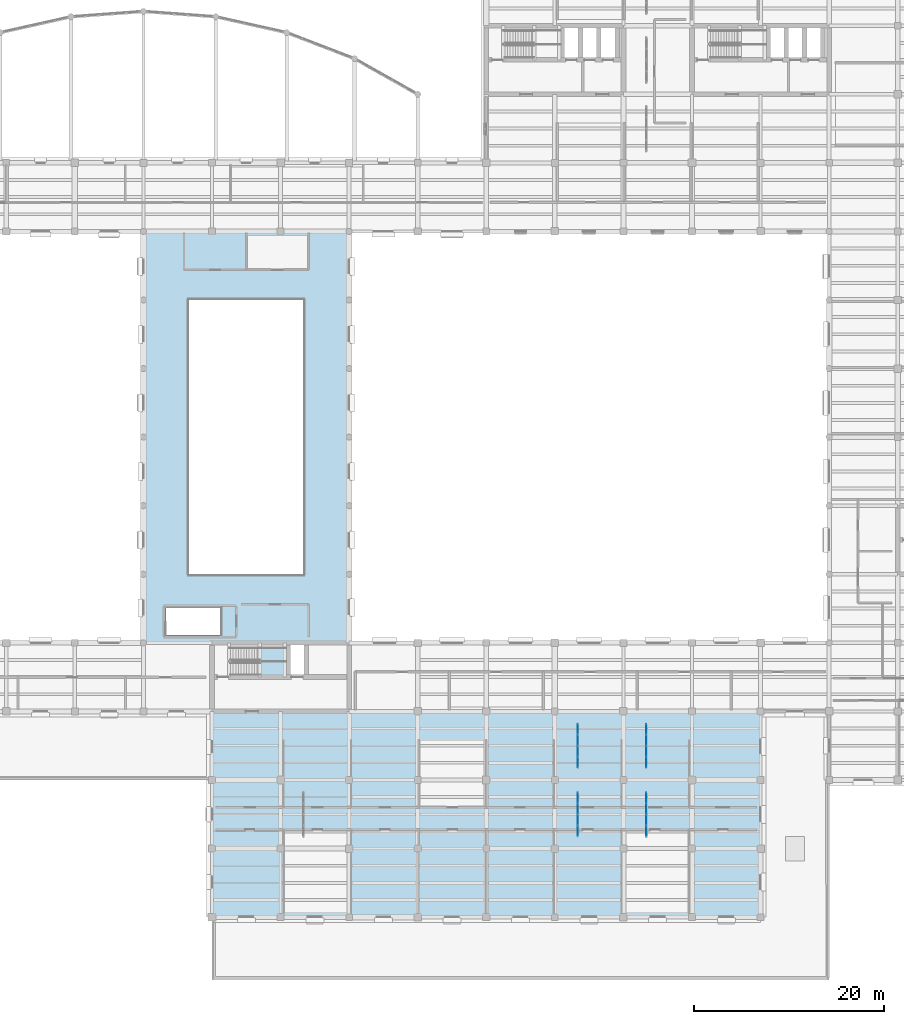
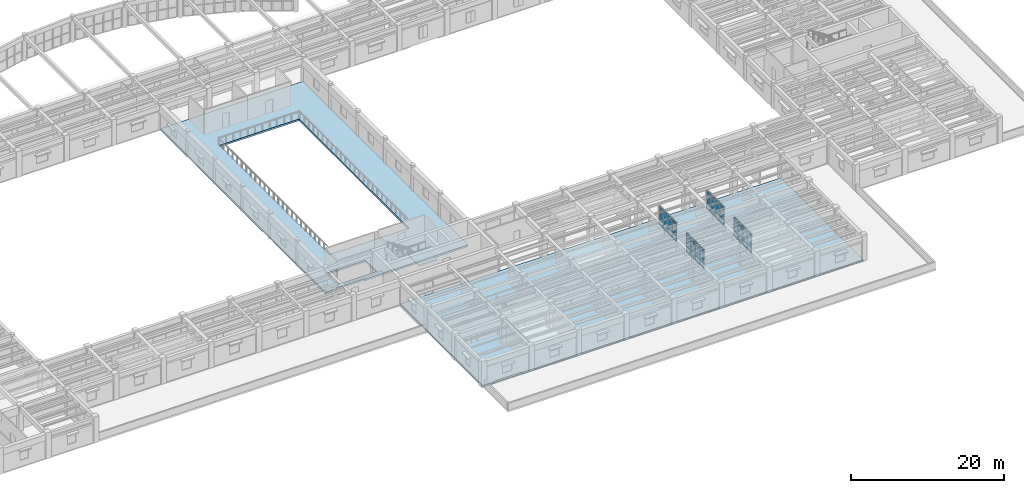
# One storey, part 37 of 76: 48 plates, 3 slabs, 5 elements without a shape of their own.
"""IFC4 building model written with IfcOpenShell, lengths in metres."""

from ifc_helpers import new_model, si_unit, direction, frame, origin, origin_2d, place, context, subcontext, project, spatial, polyline, rectangle, outline, extrude, material, layer, layer_set, type_object, element, aggregate, save


model = new_model("IFC4")

# Units and contexts
model_context = context("Model", 3, precision=1e-05, world=origin(), true_north=direction((0.0, 1.0)))
body_context = subcontext(model_context, "Body", "Model", "MODEL_VIEW")
ifc_project = project(units=[si_unit("LENGTHUNIT", "METRE"), si_unit("AREAUNIT", "SQUARE_METRE"), si_unit("VOLUMEUNIT", "CUBIC_METRE"), si_unit("PLANEANGLEUNIT", "RADIAN"), si_unit("MASSUNIT", "GRAM", prefix="KILO")], contexts=[model_context])

# Site, building, storey
site_placement = place(None, origin())
site = spatial("IfcSite", under=ifc_project, at=site_placement, CompositionType="ELEMENT")
building_placement = place(site_placement, origin())
building = spatial("IfcBuilding", under=site, at=building_placement, Name="Mithqara Police Headquarters", CompositionType="ELEMENT")
storey_placement = place(building_placement, frame((0.0, 0.0, 5.39990234375)))
storey = spatial("IfcBuildingStorey", under=building, at=storey_placement, Name="L01", CompositionType="ELEMENT", Elevation=5.39990234375)

# Curtain wall, plates
ifc_material_1 = material(Name="Bronze anodised aluminium 6063-T6", Category="aluminium")
curtain_wall_type = type_object("IfcCurtainWallType", Name="CURTAIN WALL 4700X3200", PredefinedType="USERDEFINED", material=ifc_material_1)
curtain_wall_1_placement = place(storey_placement, origin())
curtain_wall_1 = element("IfcCurtainWall", 1, at=curtain_wall_1_placement, inside=storey, type_object=curtain_wall_type, Name="L01 Unitised Glazing CW-15 (CW-INT-L01-X16-Y02-0)", ObjectType="UNITISED GLAZING", PredefinedType="USERDEFINED")
ifc_material_2 = material(Name="Spectrally selective double low-e glass", Category="glass")
ifc_layer_1 = layer(ifc_material_2, 0.028076171875, Name="Spectrally selective double low-e glass")
ifc_layer_set_1 = layer_set([ifc_layer_1], Name="Spectrally selective double low-e glass")
plate_type = type_object("IfcPlateType", Name="CWPANEL GLASS28", PredefinedType="CURTAIN_PANEL", material=ifc_layer_set_1)
plate_1_placement = place(storey_placement, frame((118.199951171875, 15.65625, 0.074951171875), z_axis=(0.0, 0.0, 1.0), x_axis=(0.0, 1.0, 0.0)))
plate_1 = element("IfcPlate", 2, at=plate_1_placement, type_object=plate_type, Name="CW-15 panel 1.1", PredefinedType="CURTAIN_PANEL", context=body_context, shape_type="SweptSolid", body=[
    extrude(rectangle(XDim=1.0625, YDim=0.028076171875, at=origin_2d()), origin(), (0.0, 0.0, 1.0), 0.78759765625),
])
plate_2_placement = place(storey_placement, frame((118.199951171875, 15.65625, 0.9375), z_axis=(0.0, 0.0, 1.0), x_axis=(0.0, 1.0, 0.0)))
plate_2 = element("IfcPlate", 3, at=plate_2_placement, type_object=plate_type, Name="CW-15 panel 1.2", PredefinedType="CURTAIN_PANEL", context=body_context, shape_type="SweptSolid", body=[
    extrude(rectangle(XDim=1.0625, YDim=0.028076171875, at=origin_2d()), origin(), (0.0, 0.0, 1.0), 1.675048828125),
])
plate_3_placement = place(storey_placement, frame((118.199951171875, 15.65625, 2.6875), z_axis=(0.0, 0.0, 1.0), x_axis=(0.0, 1.0, 0.0)))
plate_3 = element("IfcPlate", 4, at=plate_3_placement, type_object=plate_type, Name="CW-15 panel 1.3", PredefinedType="CURTAIN_PANEL", context=body_context, shape_type="SweptSolid", body=[
    extrude(rectangle(XDim=1.0625, YDim=0.028076171875, at=origin_2d()), origin(), (0.0, 0.0, 1.0), 0.4375),
])
plate_4_placement = place(storey_placement, frame((118.199951171875, 16.8125, 0.074951171875), z_axis=(0.0, 0.0, 1.0), x_axis=(0.0, 1.0, 0.0)))
plate_4 = element("IfcPlate", 5, at=plate_4_placement, type_object=plate_type, Name="CW-15 panel 2.1", PredefinedType="CURTAIN_PANEL", context=body_context, shape_type="SweptSolid", body=[
    extrude(rectangle(XDim=1.10009765625, YDim=0.028076171875, at=origin_2d()), origin(), (0.0, 0.0, 1.0), 0.78759765625),
])
plate_5_placement = place(storey_placement, frame((118.199951171875, 16.8125, 0.9375), z_axis=(0.0, 0.0, 1.0), x_axis=(0.0, 1.0, 0.0)))
plate_5 = element("IfcPlate", 6, at=plate_5_placement, type_object=plate_type, Name="CW-15 panel 2.2", PredefinedType="CURTAIN_PANEL", context=body_context, shape_type="SweptSolid", body=[
    extrude(rectangle(XDim=1.10009765625, YDim=0.028076171875, at=origin_2d()), origin(), (0.0, 0.0, 1.0), 1.675048828125),
])
plate_6_placement = place(storey_placement, frame((118.199951171875, 16.8125, 2.6875), z_axis=(0.0, 0.0, 1.0), x_axis=(0.0, 1.0, 0.0)))
plate_6 = element("IfcPlate", 7, at=plate_6_placement, type_object=plate_type, Name="CW-15 panel 2.3", PredefinedType="CURTAIN_PANEL", context=body_context, shape_type="SweptSolid", body=[
    extrude(rectangle(XDim=1.10009765625, YDim=0.028076171875, at=origin_2d()), origin(), (0.0, 0.0, 1.0), 0.4375),
])
plate_7_placement = place(storey_placement, frame((118.199951171875, 17.987548828125, 0.074951171875), z_axis=(0.0, 0.0, 1.0), x_axis=(0.0, 1.0, 0.0)))
plate_7 = element("IfcPlate", 8, at=plate_7_placement, type_object=plate_type, Name="CW-15 panel 3.1", PredefinedType="CURTAIN_PANEL", context=body_context, shape_type="SweptSolid", body=[
    extrude(rectangle(XDim=1.10009765625, YDim=0.028076171875, at=origin_2d()), origin(), (0.0, 0.0, 1.0), 0.78759765625),
])
plate_8_placement = place(storey_placement, frame((118.199951171875, 17.987548828125, 0.9375), z_axis=(0.0, 0.0, 1.0), x_axis=(0.0, 1.0, 0.0)))
plate_8 = element("IfcPlate", 9, at=plate_8_placement, type_object=plate_type, Name="CW-15 panel 3.2", PredefinedType="CURTAIN_PANEL", context=body_context, shape_type="SweptSolid", body=[
    extrude(rectangle(XDim=1.10009765625, YDim=0.028076171875, at=origin_2d()), origin(), (0.0, 0.0, 1.0), 1.675048828125),
])
plate_9_placement = place(storey_placement, frame((118.199951171875, 17.987548828125, 2.6875), z_axis=(0.0, 0.0, 1.0), x_axis=(0.0, 1.0, 0.0)))
plate_9 = element("IfcPlate", 10, at=plate_9_placement, type_object=plate_type, Name="CW-15 panel 3.3", PredefinedType="CURTAIN_PANEL", context=body_context, shape_type="SweptSolid", body=[
    extrude(rectangle(XDim=1.10009765625, YDim=0.028076171875, at=origin_2d()), origin(), (0.0, 0.0, 1.0), 0.4375),
])
plate_10_placement = place(storey_placement, frame((118.199951171875, 19.143798828125, 0.074951171875), z_axis=(0.0, 0.0, 1.0), x_axis=(0.0, 1.0, 0.0)))
plate_10 = element("IfcPlate", 11, at=plate_10_placement, type_object=plate_type, Name="CW-15 panel 4.1", PredefinedType="CURTAIN_PANEL", context=body_context, shape_type="SweptSolid", body=[
    extrude(rectangle(XDim=1.0625, YDim=0.028076171875, at=origin_2d()), origin(), (0.0, 0.0, 1.0), 0.78759765625),
])
plate_11_placement = place(storey_placement, frame((118.199951171875, 19.143798828125, 0.9375), z_axis=(0.0, 0.0, 1.0), x_axis=(0.0, 1.0, 0.0)))
plate_11 = element("IfcPlate", 12, at=plate_11_placement, type_object=plate_type, Name="CW-15 panel 4.2", PredefinedType="CURTAIN_PANEL", context=body_context, shape_type="SweptSolid", body=[
    extrude(rectangle(XDim=1.0625, YDim=0.028076171875, at=origin_2d()), origin(), (0.0, 0.0, 1.0), 1.675048828125),
])
plate_12_placement = place(storey_placement, frame((118.199951171875, 19.143798828125, 2.6875), z_axis=(0.0, 0.0, 1.0), x_axis=(0.0, 1.0, 0.0)))
plate_12 = element("IfcPlate", 13, at=plate_12_placement, type_object=plate_type, Name="CW-15 panel 4.3", PredefinedType="CURTAIN_PANEL", context=body_context, shape_type="SweptSolid", body=[
    extrude(rectangle(XDim=1.0625, YDim=0.028076171875, at=origin_2d()), origin(), (0.0, 0.0, 1.0), 0.4375),
])
aggregate(curtain_wall_1, [plate_1, plate_2, plate_3, plate_4, plate_5, plate_6, plate_7, plate_8, plate_9, plate_10, plate_11, plate_12])

curtain_wall_2_placement = place(storey_placement, origin())
curtain_wall_2 = element("IfcCurtainWall", 14, at=curtain_wall_2_placement, inside=storey, type_object=curtain_wall_type, Name="L01 Unitised Glazing CW-15 (CW-INT-L01-X16-Y03-0)", ObjectType="UNITISED GLAZING", PredefinedType="USERDEFINED")
plate_13_placement = place(storey_placement, frame((118.199951171875, 22.856201171875, 0.074951171875), z_axis=(0.0, 0.0, 1.0), x_axis=(0.0, 1.0, 0.0)))
plate_13 = element("IfcPlate", 15, at=plate_13_placement, type_object=plate_type, Name="CW-15 panel 1.1", PredefinedType="CURTAIN_PANEL", context=body_context, shape_type="SweptSolid", body=[
    extrude(rectangle(XDim=1.0625, YDim=0.028076171875, at=origin_2d()), origin(), (0.0, 0.0, 1.0), 0.78759765625),
])
plate_14_placement = place(storey_placement, frame((118.199951171875, 22.856201171875, 0.9375), z_axis=(0.0, 0.0, 1.0), x_axis=(0.0, 1.0, 0.0)))
plate_14 = element("IfcPlate", 16, at=plate_14_placement, type_object=plate_type, Name="CW-15 panel 1.2", PredefinedType="CURTAIN_PANEL", context=body_context, shape_type="SweptSolid", body=[
    extrude(rectangle(XDim=1.0625, YDim=0.028076171875, at=origin_2d()), origin(), (0.0, 0.0, 1.0), 1.675048828125),
])
plate_15_placement = place(storey_placement, frame((118.199951171875, 22.856201171875, 2.6875), z_axis=(0.0, 0.0, 1.0), x_axis=(0.0, 1.0, 0.0)))
plate_15 = element("IfcPlate", 17, at=plate_15_placement, type_object=plate_type, Name="CW-15 panel 1.3", PredefinedType="CURTAIN_PANEL", context=body_context, shape_type="SweptSolid", body=[
    extrude(rectangle(XDim=1.0625, YDim=0.028076171875, at=origin_2d()), origin(), (0.0, 0.0, 1.0), 0.4375),
])
plate_16_placement = place(storey_placement, frame((118.199951171875, 24.012451171875, 0.074951171875), z_axis=(0.0, 0.0, 1.0), x_axis=(0.0, 1.0, 0.0)))
plate_16 = element("IfcPlate", 18, at=plate_16_placement, type_object=plate_type, Name="CW-15 panel 2.1", PredefinedType="CURTAIN_PANEL", context=body_context, shape_type="SweptSolid", body=[
    extrude(rectangle(XDim=1.10009765625, YDim=0.028076171875, at=origin_2d()), origin(), (0.0, 0.0, 1.0), 0.78759765625),
])
plate_17_placement = place(storey_placement, frame((118.199951171875, 24.012451171875, 0.9375), z_axis=(0.0, 0.0, 1.0), x_axis=(0.0, 1.0, 0.0)))
plate_17 = element("IfcPlate", 19, at=plate_17_placement, type_object=plate_type, Name="CW-15 panel 2.2", PredefinedType="CURTAIN_PANEL", context=body_context, shape_type="SweptSolid", body=[
    extrude(rectangle(XDim=1.10009765625, YDim=0.028076171875, at=origin_2d()), origin(), (0.0, 0.0, 1.0), 1.675048828125),
])
plate_18_placement = place(storey_placement, frame((118.199951171875, 24.012451171875, 2.6875), z_axis=(0.0, 0.0, 1.0), x_axis=(0.0, 1.0, 0.0)))
plate_18 = element("IfcPlate", 20, at=plate_18_placement, type_object=plate_type, Name="CW-15 panel 2.3", PredefinedType="CURTAIN_PANEL", context=body_context, shape_type="SweptSolid", body=[
    extrude(rectangle(XDim=1.10009765625, YDim=0.028076171875, at=origin_2d()), origin(), (0.0, 0.0, 1.0), 0.4375),
])
plate_19_placement = place(storey_placement, frame((118.199951171875, 25.1875, 0.074951171875), z_axis=(0.0, 0.0, 1.0), x_axis=(0.0, 1.0, 0.0)))
plate_19 = element("IfcPlate", 21, at=plate_19_placement, type_object=plate_type, Name="CW-15 panel 3.1", PredefinedType="CURTAIN_PANEL", context=body_context, shape_type="SweptSolid", body=[
    extrude(rectangle(XDim=1.10009765625, YDim=0.028076171875, at=origin_2d()), origin(), (0.0, 0.0, 1.0), 0.78759765625),
])
plate_20_placement = place(storey_placement, frame((118.199951171875, 25.1875, 0.9375), z_axis=(0.0, 0.0, 1.0), x_axis=(0.0, 1.0, 0.0)))
plate_20 = element("IfcPlate", 22, at=plate_20_placement, type_object=plate_type, Name="CW-15 panel 3.2", PredefinedType="CURTAIN_PANEL", context=body_context, shape_type="SweptSolid", body=[
    extrude(rectangle(XDim=1.10009765625, YDim=0.028076171875, at=origin_2d()), origin(), (0.0, 0.0, 1.0), 1.675048828125),
])
plate_21_placement = place(storey_placement, frame((118.199951171875, 25.1875, 2.6875), z_axis=(0.0, 0.0, 1.0), x_axis=(0.0, 1.0, 0.0)))
plate_21 = element("IfcPlate", 23, at=plate_21_placement, type_object=plate_type, Name="CW-15 panel 3.3", PredefinedType="CURTAIN_PANEL", context=body_context, shape_type="SweptSolid", body=[
    extrude(rectangle(XDim=1.10009765625, YDim=0.028076171875, at=origin_2d()), origin(), (0.0, 0.0, 1.0), 0.4375),
])
plate_22_placement = place(storey_placement, frame((118.199951171875, 26.34375, 0.074951171875), z_axis=(0.0, 0.0, 1.0), x_axis=(0.0, 1.0, 0.0)))
plate_22 = element("IfcPlate", 24, at=plate_22_placement, type_object=plate_type, Name="CW-15 panel 4.1", PredefinedType="CURTAIN_PANEL", context=body_context, shape_type="SweptSolid", body=[
    extrude(rectangle(XDim=1.0625, YDim=0.028076171875, at=origin_2d()), origin(), (0.0, 0.0, 1.0), 0.78759765625),
])
plate_23_placement = place(storey_placement, frame((118.199951171875, 26.34375, 0.9375), z_axis=(0.0, 0.0, 1.0), x_axis=(0.0, 1.0, 0.0)))
plate_23 = element("IfcPlate", 25, at=plate_23_placement, type_object=plate_type, Name="CW-15 panel 4.2", PredefinedType="CURTAIN_PANEL", context=body_context, shape_type="SweptSolid", body=[
    extrude(rectangle(XDim=1.0625, YDim=0.028076171875, at=origin_2d()), origin(), (0.0, 0.0, 1.0), 1.675048828125),
])
plate_24_placement = place(storey_placement, frame((118.199951171875, 26.34375, 2.6875), z_axis=(0.0, 0.0, 1.0), x_axis=(0.0, 1.0, 0.0)))
plate_24 = element("IfcPlate", 26, at=plate_24_placement, type_object=plate_type, Name="CW-15 panel 4.3", PredefinedType="CURTAIN_PANEL", context=body_context, shape_type="SweptSolid", body=[
    extrude(rectangle(XDim=1.0625, YDim=0.028076171875, at=origin_2d()), origin(), (0.0, 0.0, 1.0), 0.4375),
])
aggregate(curtain_wall_2, [plate_13, plate_14, plate_15, plate_16, plate_17, plate_18, plate_19, plate_20, plate_21, plate_22, plate_23, plate_24])

curtain_wall_3_placement = place(storey_placement, origin())
curtain_wall_3 = element("IfcCurtainWall", 27, at=curtain_wall_3_placement, inside=storey, type_object=curtain_wall_type, Name="L01 Unitised Glazing CW-15 (CW-INT-L01-X17-Y02-0)", ObjectType="UNITISED GLAZING", PredefinedType="USERDEFINED")
plate_25_placement = place(storey_placement, frame((125.39990234375, 15.65625, 0.074951171875), z_axis=(0.0, 0.0, 1.0), x_axis=(0.0, 1.0, 0.0)))
plate_25 = element("IfcPlate", 28, at=plate_25_placement, type_object=plate_type, Name="CW-15 panel 1.1", PredefinedType="CURTAIN_PANEL", context=body_context, shape_type="SweptSolid", body=[
    extrude(rectangle(XDim=1.0625, YDim=0.028076171875, at=origin_2d()), origin(), (0.0, 0.0, 1.0), 0.78759765625),
])
plate_26_placement = place(storey_placement, frame((125.39990234375, 15.65625, 0.9375), z_axis=(0.0, 0.0, 1.0), x_axis=(0.0, 1.0, 0.0)))
plate_26 = element("IfcPlate", 29, at=plate_26_placement, type_object=plate_type, Name="CW-15 panel 1.2", PredefinedType="CURTAIN_PANEL", context=body_context, shape_type="SweptSolid", body=[
    extrude(rectangle(XDim=1.0625, YDim=0.028076171875, at=origin_2d()), origin(), (0.0, 0.0, 1.0), 1.675048828125),
])
plate_27_placement = place(storey_placement, frame((125.39990234375, 15.65625, 2.6875), z_axis=(0.0, 0.0, 1.0), x_axis=(0.0, 1.0, 0.0)))
plate_27 = element("IfcPlate", 30, at=plate_27_placement, type_object=plate_type, Name="CW-15 panel 1.3", PredefinedType="CURTAIN_PANEL", context=body_context, shape_type="SweptSolid", body=[
    extrude(rectangle(XDim=1.0625, YDim=0.028076171875, at=origin_2d()), origin(), (0.0, 0.0, 1.0), 0.4375),
])
plate_28_placement = place(storey_placement, frame((125.39990234375, 16.8125, 0.074951171875), z_axis=(0.0, 0.0, 1.0), x_axis=(0.0, 1.0, 0.0)))
plate_28 = element("IfcPlate", 31, at=plate_28_placement, type_object=plate_type, Name="CW-15 panel 2.1", PredefinedType="CURTAIN_PANEL", context=body_context, shape_type="SweptSolid", body=[
    extrude(rectangle(XDim=1.10009765625, YDim=0.028076171875, at=origin_2d()), origin(), (0.0, 0.0, 1.0), 0.78759765625),
])
plate_29_placement = place(storey_placement, frame((125.39990234375, 16.8125, 0.9375), z_axis=(0.0, 0.0, 1.0), x_axis=(0.0, 1.0, 0.0)))
plate_29 = element("IfcPlate", 32, at=plate_29_placement, type_object=plate_type, Name="CW-15 panel 2.2", PredefinedType="CURTAIN_PANEL", context=body_context, shape_type="SweptSolid", body=[
    extrude(rectangle(XDim=1.10009765625, YDim=0.028076171875, at=origin_2d()), origin(), (0.0, 0.0, 1.0), 1.675048828125),
])
plate_30_placement = place(storey_placement, frame((125.39990234375, 16.8125, 2.6875), z_axis=(0.0, 0.0, 1.0), x_axis=(0.0, 1.0, 0.0)))
plate_30 = element("IfcPlate", 33, at=plate_30_placement, type_object=plate_type, Name="CW-15 panel 2.3", PredefinedType="CURTAIN_PANEL", context=body_context, shape_type="SweptSolid", body=[
    extrude(rectangle(XDim=1.10009765625, YDim=0.028076171875, at=origin_2d()), origin(), (0.0, 0.0, 1.0), 0.4375),
])
plate_31_placement = place(storey_placement, frame((125.39990234375, 17.987548828125, 0.074951171875), z_axis=(0.0, 0.0, 1.0), x_axis=(0.0, 1.0, 0.0)))
plate_31 = element("IfcPlate", 34, at=plate_31_placement, type_object=plate_type, Name="CW-15 panel 3.1", PredefinedType="CURTAIN_PANEL", context=body_context, shape_type="SweptSolid", body=[
    extrude(rectangle(XDim=1.10009765625, YDim=0.028076171875, at=origin_2d()), origin(), (0.0, 0.0, 1.0), 0.78759765625),
])
plate_32_placement = place(storey_placement, frame((125.39990234375, 17.987548828125, 0.9375), z_axis=(0.0, 0.0, 1.0), x_axis=(0.0, 1.0, 0.0)))
plate_32 = element("IfcPlate", 35, at=plate_32_placement, type_object=plate_type, Name="CW-15 panel 3.2", PredefinedType="CURTAIN_PANEL", context=body_context, shape_type="SweptSolid", body=[
    extrude(rectangle(XDim=1.10009765625, YDim=0.028076171875, at=origin_2d()), origin(), (0.0, 0.0, 1.0), 1.675048828125),
])
plate_33_placement = place(storey_placement, frame((125.39990234375, 17.987548828125, 2.6875), z_axis=(0.0, 0.0, 1.0), x_axis=(0.0, 1.0, 0.0)))
plate_33 = element("IfcPlate", 36, at=plate_33_placement, type_object=plate_type, Name="CW-15 panel 3.3", PredefinedType="CURTAIN_PANEL", context=body_context, shape_type="SweptSolid", body=[
    extrude(rectangle(XDim=1.10009765625, YDim=0.028076171875, at=origin_2d()), origin(), (0.0, 0.0, 1.0), 0.4375),
])
plate_34_placement = place(storey_placement, frame((125.39990234375, 19.143798828125, 0.074951171875), z_axis=(0.0, 0.0, 1.0), x_axis=(0.0, 1.0, 0.0)))
plate_34 = element("IfcPlate", 37, at=plate_34_placement, type_object=plate_type, Name="CW-15 panel 4.1", PredefinedType="CURTAIN_PANEL", context=body_context, shape_type="SweptSolid", body=[
    extrude(rectangle(XDim=1.0625, YDim=0.028076171875, at=origin_2d()), origin(), (0.0, 0.0, 1.0), 0.78759765625),
])
plate_35_placement = place(storey_placement, frame((125.39990234375, 19.143798828125, 0.9375), z_axis=(0.0, 0.0, 1.0), x_axis=(0.0, 1.0, 0.0)))
plate_35 = element("IfcPlate", 38, at=plate_35_placement, type_object=plate_type, Name="CW-15 panel 4.2", PredefinedType="CURTAIN_PANEL", context=body_context, shape_type="SweptSolid", body=[
    extrude(rectangle(XDim=1.0625, YDim=0.028076171875, at=origin_2d()), origin(), (0.0, 0.0, 1.0), 1.675048828125),
])
plate_36_placement = place(storey_placement, frame((125.39990234375, 19.143798828125, 2.6875), z_axis=(0.0, 0.0, 1.0), x_axis=(0.0, 1.0, 0.0)))
plate_36 = element("IfcPlate", 39, at=plate_36_placement, type_object=plate_type, Name="CW-15 panel 4.3", PredefinedType="CURTAIN_PANEL", context=body_context, shape_type="SweptSolid", body=[
    extrude(rectangle(XDim=1.0625, YDim=0.028076171875, at=origin_2d()), origin(), (0.0, 0.0, 1.0), 0.4375),
])
aggregate(curtain_wall_3, [plate_25, plate_26, plate_27, plate_28, plate_29, plate_30, plate_31, plate_32, plate_33, plate_34, plate_35, plate_36])

curtain_wall_4_placement = place(storey_placement, origin())
curtain_wall_4 = element("IfcCurtainWall", 40, at=curtain_wall_4_placement, inside=storey, type_object=curtain_wall_type, Name="L01 Unitised Glazing CW-15 (CW-INT-L01-X17-Y03-0)", ObjectType="UNITISED GLAZING", PredefinedType="USERDEFINED")
plate_37_placement = place(storey_placement, frame((125.39990234375, 22.856201171875, 0.074951171875), z_axis=(0.0, 0.0, 1.0), x_axis=(0.0, 1.0, 0.0)))
plate_37 = element("IfcPlate", 41, at=plate_37_placement, type_object=plate_type, Name="CW-15 panel 1.1", PredefinedType="CURTAIN_PANEL", context=body_context, shape_type="SweptSolid", body=[
    extrude(rectangle(XDim=1.0625, YDim=0.028076171875, at=origin_2d()), origin(), (0.0, 0.0, 1.0), 0.78759765625),
])
plate_38_placement = place(storey_placement, frame((125.39990234375, 22.856201171875, 0.9375), z_axis=(0.0, 0.0, 1.0), x_axis=(0.0, 1.0, 0.0)))
plate_38 = element("IfcPlate", 42, at=plate_38_placement, type_object=plate_type, Name="CW-15 panel 1.2", PredefinedType="CURTAIN_PANEL", context=body_context, shape_type="SweptSolid", body=[
    extrude(rectangle(XDim=1.0625, YDim=0.028076171875, at=origin_2d()), origin(), (0.0, 0.0, 1.0), 1.675048828125),
])
plate_39_placement = place(storey_placement, frame((125.39990234375, 22.856201171875, 2.6875), z_axis=(0.0, 0.0, 1.0), x_axis=(0.0, 1.0, 0.0)))
plate_39 = element("IfcPlate", 43, at=plate_39_placement, type_object=plate_type, Name="CW-15 panel 1.3", PredefinedType="CURTAIN_PANEL", context=body_context, shape_type="SweptSolid", body=[
    extrude(rectangle(XDim=1.0625, YDim=0.028076171875, at=origin_2d()), origin(), (0.0, 0.0, 1.0), 0.4375),
])
plate_40_placement = place(storey_placement, frame((125.39990234375, 24.012451171875, 0.074951171875), z_axis=(0.0, 0.0, 1.0), x_axis=(0.0, 1.0, 0.0)))
plate_40 = element("IfcPlate", 44, at=plate_40_placement, type_object=plate_type, Name="CW-15 panel 2.1", PredefinedType="CURTAIN_PANEL", context=body_context, shape_type="SweptSolid", body=[
    extrude(rectangle(XDim=1.10009765625, YDim=0.028076171875, at=origin_2d()), origin(), (0.0, 0.0, 1.0), 0.78759765625),
])
plate_41_placement = place(storey_placement, frame((125.39990234375, 24.012451171875, 0.9375), z_axis=(0.0, 0.0, 1.0), x_axis=(0.0, 1.0, 0.0)))
plate_41 = element("IfcPlate", 45, at=plate_41_placement, type_object=plate_type, Name="CW-15 panel 2.2", PredefinedType="CURTAIN_PANEL", context=body_context, shape_type="SweptSolid", body=[
    extrude(rectangle(XDim=1.10009765625, YDim=0.028076171875, at=origin_2d()), origin(), (0.0, 0.0, 1.0), 1.675048828125),
])
plate_42_placement = place(storey_placement, frame((125.39990234375, 24.012451171875, 2.6875), z_axis=(0.0, 0.0, 1.0), x_axis=(0.0, 1.0, 0.0)))
plate_42 = element("IfcPlate", 46, at=plate_42_placement, type_object=plate_type, Name="CW-15 panel 2.3", PredefinedType="CURTAIN_PANEL", context=body_context, shape_type="SweptSolid", body=[
    extrude(rectangle(XDim=1.10009765625, YDim=0.028076171875, at=origin_2d()), origin(), (0.0, 0.0, 1.0), 0.4375),
])
plate_43_placement = place(storey_placement, frame((125.39990234375, 25.1875, 0.074951171875), z_axis=(0.0, 0.0, 1.0), x_axis=(0.0, 1.0, 0.0)))
plate_43 = element("IfcPlate", 47, at=plate_43_placement, type_object=plate_type, Name="CW-15 panel 3.1", PredefinedType="CURTAIN_PANEL", context=body_context, shape_type="SweptSolid", body=[
    extrude(rectangle(XDim=1.10009765625, YDim=0.028076171875, at=origin_2d()), origin(), (0.0, 0.0, 1.0), 0.78759765625),
])
plate_44_placement = place(storey_placement, frame((125.39990234375, 25.1875, 0.9375), z_axis=(0.0, 0.0, 1.0), x_axis=(0.0, 1.0, 0.0)))
plate_44 = element("IfcPlate", 48, at=plate_44_placement, type_object=plate_type, Name="CW-15 panel 3.2", PredefinedType="CURTAIN_PANEL", context=body_context, shape_type="SweptSolid", body=[
    extrude(rectangle(XDim=1.10009765625, YDim=0.028076171875, at=origin_2d()), origin(), (0.0, 0.0, 1.0), 1.675048828125),
])
plate_45_placement = place(storey_placement, frame((125.39990234375, 25.1875, 2.6875), z_axis=(0.0, 0.0, 1.0), x_axis=(0.0, 1.0, 0.0)))
plate_45 = element("IfcPlate", 49, at=plate_45_placement, type_object=plate_type, Name="CW-15 panel 3.3", PredefinedType="CURTAIN_PANEL", context=body_context, shape_type="SweptSolid", body=[
    extrude(rectangle(XDim=1.10009765625, YDim=0.028076171875, at=origin_2d()), origin(), (0.0, 0.0, 1.0), 0.4375),
])
plate_46_placement = place(storey_placement, frame((125.39990234375, 26.34375, 0.074951171875), z_axis=(0.0, 0.0, 1.0), x_axis=(0.0, 1.0, 0.0)))
plate_46 = element("IfcPlate", 50, at=plate_46_placement, type_object=plate_type, Name="CW-15 panel 4.1", PredefinedType="CURTAIN_PANEL", context=body_context, shape_type="SweptSolid", body=[
    extrude(rectangle(XDim=1.0625, YDim=0.028076171875, at=origin_2d()), origin(), (0.0, 0.0, 1.0), 0.78759765625),
])
plate_47_placement = place(storey_placement, frame((125.39990234375, 26.34375, 0.9375), z_axis=(0.0, 0.0, 1.0), x_axis=(0.0, 1.0, 0.0)))
plate_47 = element("IfcPlate", 51, at=plate_47_placement, type_object=plate_type, Name="CW-15 panel 4.2", PredefinedType="CURTAIN_PANEL", context=body_context, shape_type="SweptSolid", body=[
    extrude(rectangle(XDim=1.0625, YDim=0.028076171875, at=origin_2d()), origin(), (0.0, 0.0, 1.0), 1.675048828125),
])
plate_48_placement = place(storey_placement, frame((125.39990234375, 26.34375, 2.6875), z_axis=(0.0, 0.0, 1.0), x_axis=(0.0, 1.0, 0.0)))
plate_48 = element("IfcPlate", 52, at=plate_48_placement, type_object=plate_type, Name="CW-15 panel 4.3", PredefinedType="CURTAIN_PANEL", context=body_context, shape_type="SweptSolid", body=[
    extrude(rectangle(XDim=1.0625, YDim=0.028076171875, at=origin_2d()), origin(), (0.0, 0.0, 1.0), 0.4375),
])
aggregate(curtain_wall_4, [plate_37, plate_38, plate_39, plate_40, plate_41, plate_42, plate_43, plate_44, plate_45, plate_46, plate_47, plate_48])

# Slabs
ifc_material_3 = material(Name="Concrete C40/50", Category="concrete")
ifc_layer_2 = layer(ifc_material_3, 0.280029296875, Name="Concrete C40/50")
ifc_layer_set_2 = layer_set([ifc_layer_2], Name="Concrete C40/50")
slab_type_1 = type_object("IfcSlabType", Name="FLOOR SLAB 280", PredefinedType="FLOOR", material=ifc_layer_set_2)
slab_1_placement = place(storey_placement, frame((0.0, 0.0, -0.27978515625)))
element("IfcSlab", 53, at=slab_1_placement, inside=storey, type_object=slab_type_1, Name="L01 Structural Slab L01-V2", PredefinedType="FLOOR", context=body_context, shape_type="SweptSolid", body=[
    extrude(outline(polyline([(78.60009765625, 35.39990234375), (78.60009765625, 35.5400390625), (74.39990234375, 35.5400390625), (74.39990234375, 35.39990234375), (72.60009765625, 35.39990234375), (72.60009765625, 78.60009765625), (94.199951171875, 78.60009765625), (94.199951171875, 35.39990234375), (78.60009765625, 35.39990234375)]), holes=[polyline([(74.949951171875, 36.199951171875), (80.800048828125, 36.199951171875), (80.800048828125, 39.10009765625), (74.949951171875, 39.10009765625), (74.949951171875, 36.199951171875)]), polyline([(89.39990234375, 42.60009765625), (89.39990234375, 71.39990234375), (77.39990234375, 71.39990234375), (77.39990234375, 42.60009765625), (89.39990234375, 42.60009765625)])]), origin(), (0.0, 0.0, 1.0), 0.27978515625),
])
slab_2_placement = place(storey_placement, frame((0.0, 0.0, -0.27978515625)))
element("IfcSlab", 54, at=slab_2_placement, inside=storey, type_object=slab_type_1, Name="L01 Structural Slab L01-V6S", PredefinedType="FLOOR", context=body_context, shape_type="SweptSolid", body=[
    extrude(outline(polyline([(85.800048828125, 6.60009765625), (85.800048828125, 6.739990234375), (81.60009765625, 6.739990234375), (81.60009765625, 6.60009765625), (79.800048828125, 6.60009765625), (79.800048828125, 28.199951171875), (137.39990234375, 28.199951171875), (137.39990234375, 6.60009765625), (85.800048828125, 6.60009765625)])), origin(), (0.0, 0.0, 1.0), 0.27978515625),
])

# Stair, slab
stair_type = type_object("IfcStairType", Name="STAIR ST 07-R24", PredefinedType="HALF_TURN_STAIR", material=ifc_material_3)
stair_placement = place(storey_placement, origin())
stair = element("IfcStair", 55, at=stair_placement, inside=storey, type_object=stair_type, Name="L01 Core C5 Courtyard South Exit Stair", PredefinedType="HALF_TURN_STAIR")
ifc_layer_3 = layer(ifc_material_3, 0.199951171875, Name="Concrete C40/50")
ifc_layer_set_3 = layer_set([ifc_layer_3], Name="Concrete C40/50")
slab_type_2 = type_object("IfcSlabType", Name="STAIR LANDING 200", PredefinedType="LANDING", material=ifc_layer_set_3)
slab_3_placement = place(storey_placement, frame((0.0, 0.0, 1.900146484375)))
slab_3 = element("IfcSlab", 56, at=slab_3_placement, type_object=slab_type_2, Name="ST-07 landing 1", PredefinedType="LANDING", context=body_context, shape_type="SweptSolid", body=[
    extrude(outline(polyline([(84.830078125, 32.0), (87.60009765625, 32.0), (87.60009765625, 34.89990234375), (84.830078125, 34.89990234375), (84.830078125, 32.0)])), origin(), (0.0, 0.0, 1.0), 0.199951171875),
])
aggregate(stair, [slab_3])

save(model, "model.ifc")
